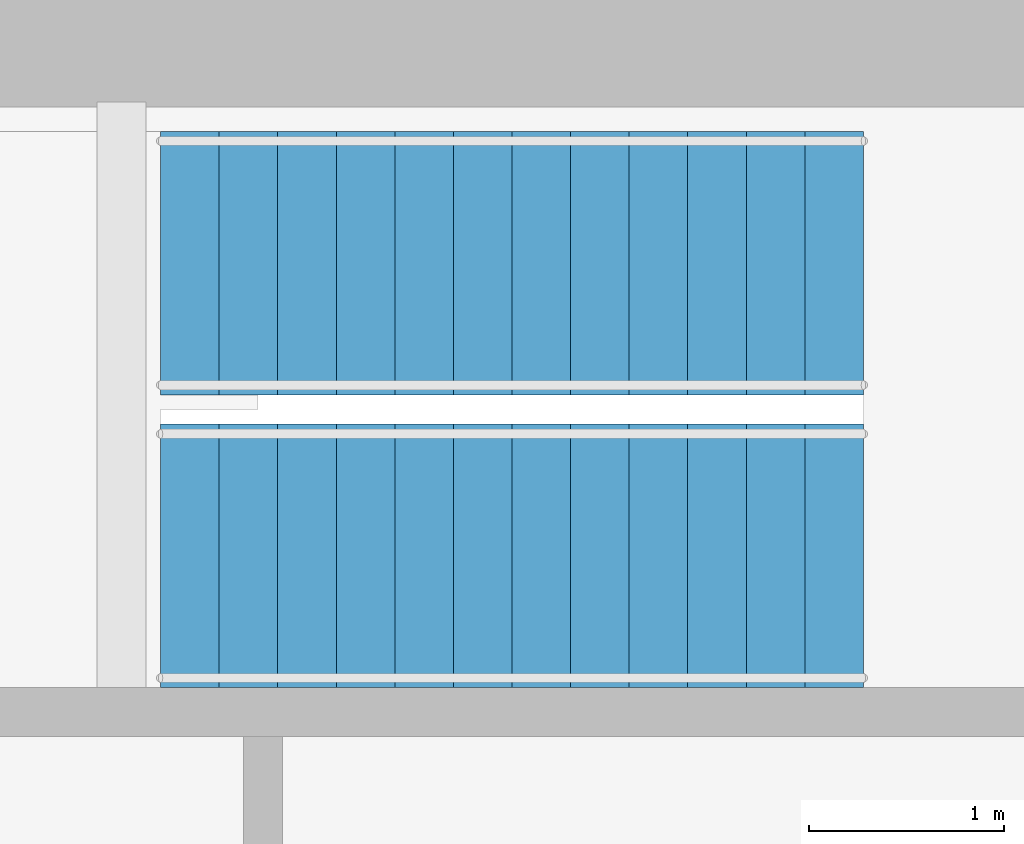
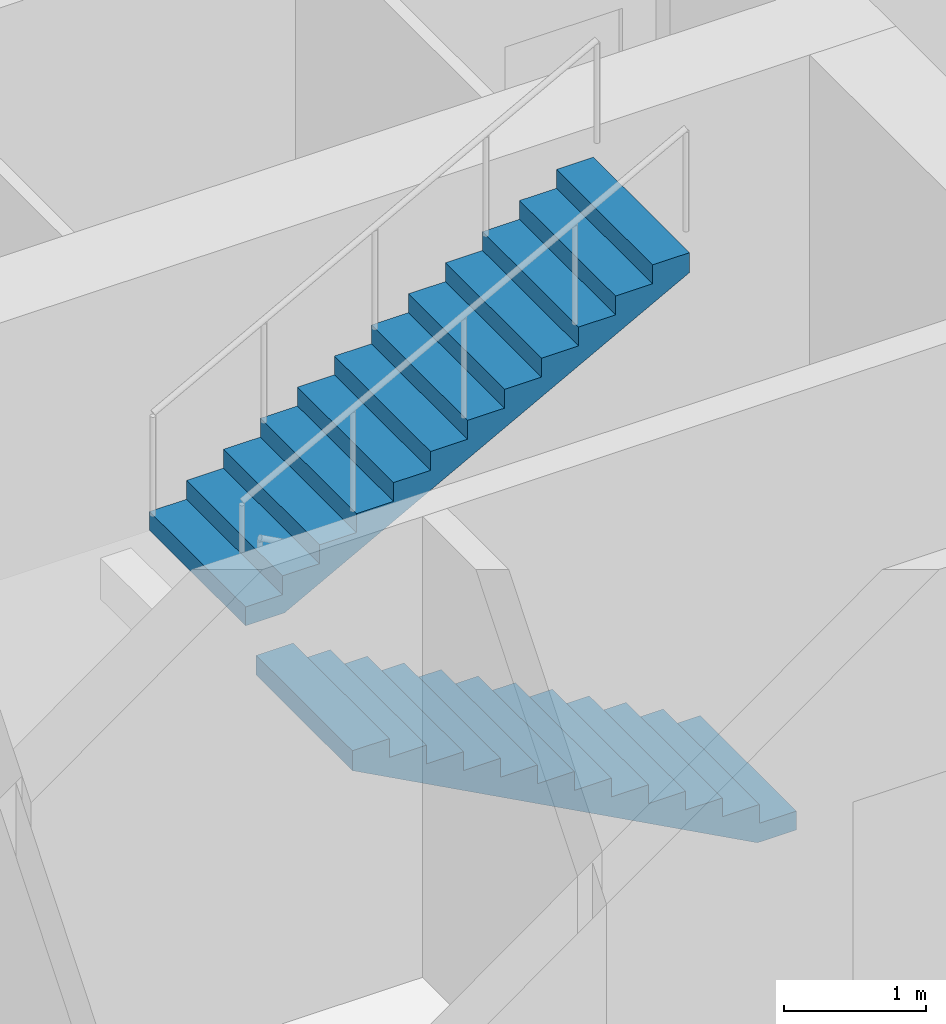
# One storey, part 10 of 12: 2 stair flights, 1 element without a shape of its own.
"""IFC4 building model written with IfcOpenShell, lengths in metres."""

import ifcopenshell
import ifcopenshell.guid

model = None  # the IFC model being written
_history = None  # IfcOwnerHistory: only IFC2X3 demands one
_inside = {}  # id of a spatial element -> (the spatial element, [elements in it])
_under = {}  # id of a project, library or spatial element -> (it, [spatial elements below it])
_declared = {}  # id of a project -> (the project, [libraries it declares])
_typed = {}  # id of a type object -> (the type object, [elements of that type])
_made_of = {}  # id of a material, layer set ... -> (it, [elements and type objects made of it])


def new_model(schema):
    """Start an empty IFC model of exactly this schema.

    Asked for "IFC4X3", IfcOpenShell would pick the latest addendum, in which some entities
    have other attributes; the version numbers below select the first issue.
    IFC2X3 requires an IfcOwnerHistory on every rooted entity: one is made here for all.
    """
    global model, _history
    if schema == "IFC4X3":
        model = ifcopenshell.file(schema_version=(4, 3, 0, 0))
    else:
        model = ifcopenshell.file(schema=schema)
    _inside.clear()
    _under.clear()
    _declared.clear()
    _typed.clear()
    _made_of.clear()
    _history = None
    if model.schema == "IFC2X3":
        org = make("IfcOrganization", Name="unknown")
        user = make(
            "IfcPersonAndOrganization",
            ThePerson=make("IfcPerson", FamilyName="unknown"),
            TheOrganization=org,
        )
        app = make(
            "IfcApplication",
            ApplicationDeveloper=org,
            Version="unknown",
            ApplicationFullName="unknown",
            ApplicationIdentifier="unknown",
        )
        _history = make(
            "IfcOwnerHistory",
            OwningUser=user,
            OwningApplication=app,
            ChangeAction="ADDED",
            CreationDate=0,
        )
    return model


def make(cls, **values):
    """One entity of the class cls with the attributes given. An attribute that is None is left unset."""
    return model.create_entity(
        cls, **{name: value for name, value in values.items() if value is not None}
    )


def rooted(cls, **values):
    """An entity with a GlobalId (a new one), such as an element, a storey or a relation."""
    return make(cls, GlobalId=ifcopenshell.guid.new(), OwnerHistory=_history, **values)


def si_unit(unit_type, name, prefix=None):
    """IfcSIUnit, for example si_unit("LENGTHUNIT", "METRE", prefix="MILLI")."""
    return make("IfcSIUnit", UnitType=unit_type, Prefix=prefix, Name=name)


def assignment(units):
    """IfcUnitAssignment: the units of a project."""
    return None if units is None else make("IfcUnitAssignment", Units=units)


def point(xyz):
    """IfcCartesianPoint."""
    return None if xyz is None else make("IfcCartesianPoint", Coordinates=xyz)


def direction(xyz):
    """IfcDirection."""
    return None if xyz is None else make("IfcDirection", DirectionRatios=xyz)


def frame(location, z_axis=None, x_axis=None):
    """IfcAxis2Placement3D, a coordinate frame: its origin and axes. An axis left out is left unset."""
    return make(
        "IfcAxis2Placement3D",
        Location=point(location),
        Axis=direction(z_axis),
        RefDirection=direction(x_axis),
    )


def origin():
    """The frame at (0, 0, 0) with its axes left unset."""
    return frame((0.0, 0.0, 0.0))


def place(relative_to, where):
    """IfcLocalPlacement: puts the frame where relative to a parent placement (None: the world)."""
    return make(
        "IfcLocalPlacement", PlacementRelTo=relative_to, RelativePlacement=where
    )


def context(
    kind, dimensions, precision=None, world=None, true_north=None, identifier=None
):
    """IfcGeometricRepresentationContext, for example the 3D "Model" context."""
    return make(
        "IfcGeometricRepresentationContext",
        ContextIdentifier=identifier,
        ContextType=kind,
        CoordinateSpaceDimension=dimensions,
        Precision=precision,
        WorldCoordinateSystem=world,
        TrueNorth=true_north,
    )


def subcontext(parent, identifier, kind, view, scale=None):
    """IfcGeometricRepresentationSubContext, for example "Body" below "Model"."""
    return make(
        "IfcGeometricRepresentationSubContext",
        ContextIdentifier=identifier,
        ContextType=kind,
        ParentContext=parent,
        TargetScale=scale,
        TargetView=view,
    )


def project(units=None, contexts=None):
    """IfcProject with its units and contexts."""
    return rooted(
        "IfcProject",
        Name="project",
        RepresentationContexts=contexts,
        UnitsInContext=assignment(units),
    )


def spatial(cls, under=None, at=None, **own):
    """A site, building, storey or space (cls), placed at a placement, below another one or the project."""
    s = rooted(cls, ObjectPlacement=at, **own)
    if under is not None:
        _under.setdefault(under.id(), (under, []))[1].append(s)
    return s


def polyline(points):
    """IfcPolyline through the points."""
    return make("IfcPolyline", Points=[point(p) for p in points])


def outline(outer, holes=None, kind="AREA"):
    """IfcArbitraryClosedProfileDef: a profile drawn as a closed curve; with holes, ...WithVoids."""
    if holes is None:
        return make("IfcArbitraryClosedProfileDef", ProfileType=kind, OuterCurve=outer)
    return make(
        "IfcArbitraryProfileDefWithVoids",
        ProfileType=kind,
        OuterCurve=outer,
        InnerCurves=holes,
    )


def extrude(swept, where, along, depth):
    """IfcExtrudedAreaSolid: the profile swept, set in the frame where, extruded along a direction by depth."""
    return make(
        "IfcExtrudedAreaSolid",
        SweptArea=swept,
        Position=where,
        ExtrudedDirection=direction(along),
        Depth=depth,
    )


def shape(context_of_items, identifier, shape_type, items):
    """IfcShapeRepresentation: the items that make up one representation, for example the "Body"."""
    return make(
        "IfcShapeRepresentation",
        ContextOfItems=context_of_items,
        RepresentationIdentifier=identifier,
        RepresentationType=shape_type,
        Items=items,
    )


def material(Name=None, Category=None):
    """IfcMaterial."""
    return make("IfcMaterial", Name=Name, Category=Category)


def made_of(thing, what):
    """Note that an element or type object is made of a material, layer set ...; save() writes the relation."""
    if what is not None:
        _made_of.setdefault(what.id(), (what, []))[1].append(thing)
    return thing


def type_object(cls, material=None, **own):
    """A type object (cls), such as IfcWallType, which elements share."""
    return made_of(rooted(cls, **own), material)


def element(
    cls,
    number,
    at=None,
    inside=None,
    cuts=None,
    type_object=None,
    material=None,
    context=None,
    identifier="Body",
    shape_type=None,
    held_by="IfcProductDefinitionShape",
    body=None,
    shapes=None,
    **own,
):
    """One element of the class cls, such as IfcWall. Its Tag is "e" and its number.

    at: its placement. inside: the storey or other place that contains it. cuts: it is an
    opening in that element (IfcRelVoidsElement). A single representation is given by context,
    identifier, shape_type and body (its items); several are given by shapes. held_by: the class
    of the entity that holds the representations. save() writes the other relations.
    """
    e = rooted(cls, Tag="e%d" % number, ObjectPlacement=at, **own)
    if body is not None:
        shapes = [shape(context, identifier, shape_type, body)]
    if shapes is not None:
        e.Representation = make(held_by, Representations=shapes)
    if inside is not None:
        _inside.setdefault(inside.id(), (inside, []))[1].append(e)
    if cuts is not None:
        rooted(
            "IfcRelVoidsElement", RelatingBuildingElement=cuts, RelatedOpeningElement=e
        )
    if type_object is not None:
        _typed.setdefault(type_object.id(), (type_object, []))[1].append(e)
    return made_of(e, material)


def aggregate(whole, parts):
    """IfcRelAggregates: a whole, such as a stair, and the parts it consists of."""
    return rooted("IfcRelAggregates", RelatingObject=whole, RelatedObjects=parts)


def save(model, path):
    """Write the relations noted so far, then the file.

    IfcRelAggregates (storeys below a building ...), IfcRelContainedInSpatialStructure (elements
    in a storey), IfcRelDefinesByType, IfcRelAssociatesMaterial and IfcRelDeclares: one each for
    every whole, place, type object, material and project.
    """
    for whole, parts in _under.values():
        aggregate(whole, parts)
    for where, things in _inside.values():
        rooted(
            "IfcRelContainedInSpatialStructure",
            RelatedElements=things,
            RelatingStructure=where,
        )
    for kind, things in _typed.values():
        rooted("IfcRelDefinesByType", RelatedObjects=things, RelatingType=kind)
    for what, things in _made_of.values():
        rooted("IfcRelAssociatesMaterial", RelatedObjects=things, RelatingMaterial=what)
    for by, libraries in _declared.values():
        rooted("IfcRelDeclares", RelatingContext=by, RelatedDefinitions=libraries)
    model.write(path)


model = new_model("IFC4")

# Units and contexts
model_context = context("Model", 3, precision=1e-05, world=origin(), true_north=direction((0.0, 1.0)))
body_context = subcontext(model_context, "Body", "Model", "MODEL_VIEW")
ifc_project = project(units=[si_unit("LENGTHUNIT", "METRE"), si_unit("AREAUNIT", "SQUARE_METRE"), si_unit("VOLUMEUNIT", "CUBIC_METRE"), si_unit("PLANEANGLEUNIT", "RADIAN"), si_unit("MASSUNIT", "GRAM", prefix="KILO")], contexts=[model_context])

# Site, building, storey
site_placement = place(None, origin())
site = spatial("IfcSite", under=ifc_project, at=site_placement, CompositionType="ELEMENT")
building_placement = place(site_placement, origin())
building = spatial("IfcBuilding", under=site, at=building_placement, Name="Msitu Wima Residences", CompositionType="ELEMENT")
storey_placement = place(building_placement, frame((0.0, 0.0, 170.699951171875)))
storey = spatial("IfcBuildingStorey", under=building, at=storey_placement, Name="L39", CompositionType="ELEMENT", Elevation=170.699951171875)

# Stair, stair flights
ifc_material = material(Name="Concrete C40/50", Category="concrete")
stair_type = type_object("IfcStairType", Name="Exit stair ES1615-135", PredefinedType="HALF_TURN_STAIR", material=ifc_material)
stair_placement = place(storey_placement, origin())
stair = element("IfcStair", 1, at=stair_placement, inside=storey, type_object=stair_type, Name="Exit stair 3", PredefinedType="HALF_TURN_STAIR")
stair_flight_type = type_object("IfcStairFlightType", Name="Exit stair flight ES1615-135", PredefinedType="STRAIGHT", material=ifc_material)
stair_flight_1_placement = place(storey_placement, frame((11.875, 9.0, 0.0), z_axis=(0.0, 0.0, 1.0), x_axis=(-1.0, 0.0, 0.0)))
stair_flight_1 = element("IfcStairFlight", 2, at=stair_flight_1_placement, type_object=stair_flight_type, Name="S3 flight 1", NumberOfRisers=13, NumberOfTreads=12, PredefinedType="STRAIGHT", RiserHeight=0.161538462, TreadLength=0.3, context=body_context, shape_type="SweptSolid", body=[
    extrude(outline(polyline([(0.0, 0.0), (0.0, 0.16162109375), (0.300048828125, 0.16162109375), (0.300048828125, 0.322998046875), (0.60009765625, 0.322998046875), (0.60009765625, 0.484619140625), (0.89990234375, 0.484619140625), (0.89990234375, 0.646240234375), (1.199951171875, 0.646240234375), (1.199951171875, 0.8076171875), (1.5, 0.8076171875), (1.5, 0.96923828125), (1.800048828125, 0.96923828125), (1.800048828125, 1.130859375), (2.10009765625, 1.130859375), (2.10009765625, 1.292236328125), (2.39990234375, 1.292236328125), (2.39990234375, 1.453857421875), (2.699951171875, 1.453857421875), (2.699951171875, 1.615478515625), (3.0, 1.615478515625), (3.0, 1.77685546875), (3.300048828125, 1.77685546875), (3.300048828125, 1.9384765625), (3.60009765625, 1.9384765625), (3.60009765625, 2.10009765625), (3.60009765625, 1.768310546875), (0.316162109375, 0.0), (0.0, 0.0)])), frame((0.0, 0.675048828125, 0.0), z_axis=(0.0, -1.0, 0.0), x_axis=(1.0, 0.0, 0.0)), (0.0, 0.0, 1.0), 1.35009765625),
])
stair_flight_2_placement = place(storey_placement, frame((8.27490234375, 10.5, 2.10009765625), z_axis=(0.0, 0.0, 1.0), x_axis=(1.0, 0.0, 0.0)))
stair_flight_2 = element("IfcStairFlight", 3, at=stair_flight_2_placement, type_object=stair_flight_type, Name="S3 flight 2", NumberOfRisers=13, NumberOfTreads=12, PredefinedType="STRAIGHT", RiserHeight=0.161538462, TreadLength=0.3, context=body_context, shape_type="SweptSolid", body=[
    extrude(outline(polyline([(0.0, 0.0), (0.0, 0.16162109375), (0.300048828125, 0.16162109375), (0.300048828125, 0.322998046875), (0.60009765625, 0.322998046875), (0.60009765625, 0.484619140625), (0.89990234375, 0.484619140625), (0.89990234375, 0.646240234375), (1.199951171875, 0.646240234375), (1.199951171875, 0.8076171875), (1.5, 0.8076171875), (1.5, 0.96923828125), (1.800048828125, 0.96923828125), (1.800048828125, 1.130859375), (2.10009765625, 1.130859375), (2.10009765625, 1.292236328125), (2.39990234375, 1.292236328125), (2.39990234375, 1.453857421875), (2.699951171875, 1.453857421875), (2.699951171875, 1.615478515625), (3.0, 1.615478515625), (3.0, 1.77685546875), (3.300048828125, 1.77685546875), (3.300048828125, 1.9384765625), (3.60009765625, 1.9384765625), (3.60009765625, 2.10009765625), (3.60009765625, 1.768310546875), (0.316162109375, 0.0), (0.0, 0.0)])), frame((0.0, 0.675048828125, 0.0), z_axis=(0.0, -1.0, 0.0), x_axis=(1.0, 0.0, 0.0)), (0.0, 0.0, 1.0), 1.35009765625),
])
aggregate(stair, [stair_flight_1, stair_flight_2])

save(model, "model.ifc")
